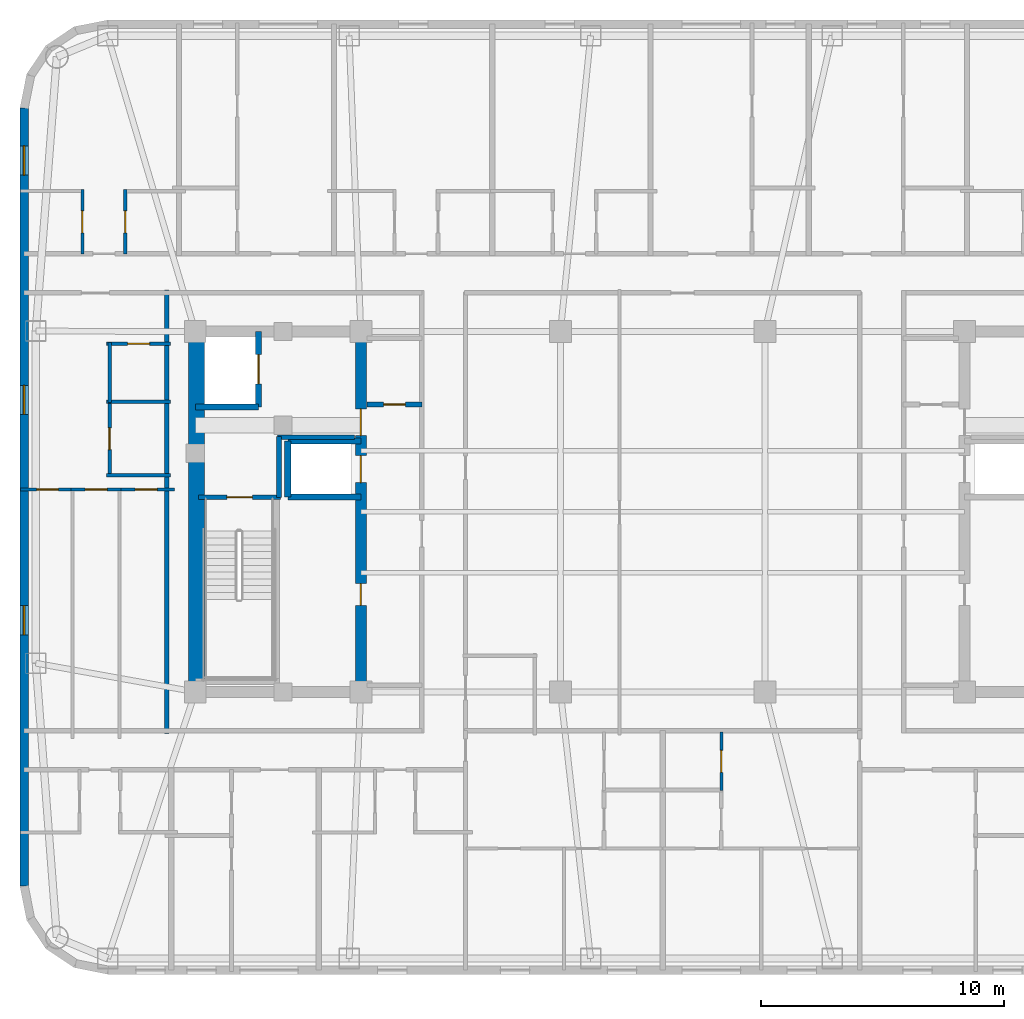
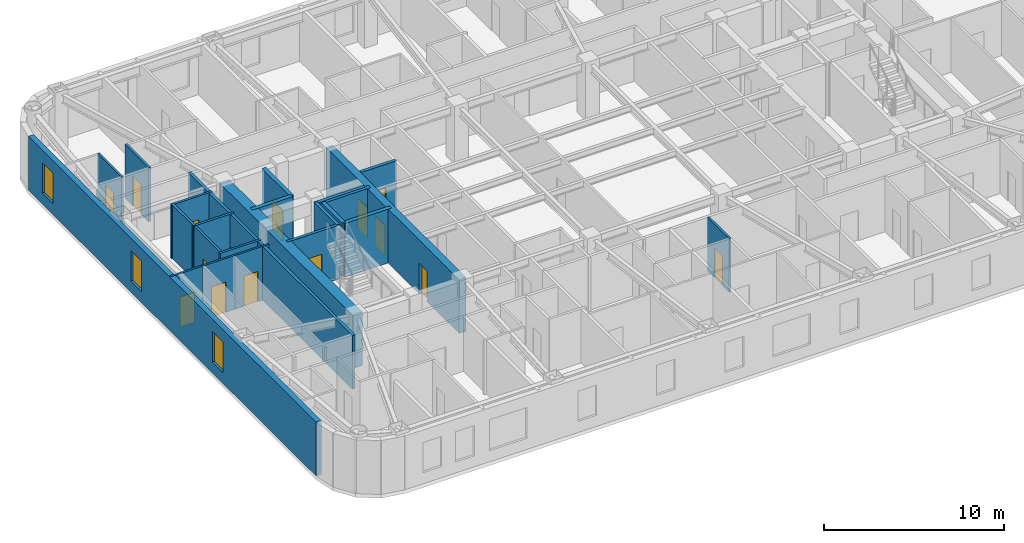
# One storey, part 4 of 11: 24 walls, 14 doors, 3 windows, 17 openings.
"""IFC4 building model written with IfcOpenShell, lengths in metres."""

from ifc_helpers import new_model, si_unit, direction, frame, frame_2d, origin, place, context, subcontext, project, spatial, rectangle, extrude, material, layer, layer_set, type_object, element, fill, save


model = new_model("IFC4")

# Units and contexts
model_context = context("Model", 3, precision=1e-05, world=origin(), true_north=direction((0.0, 1.0)))
body_context = subcontext(model_context, "Body", "Model", "MODEL_VIEW")
ifc_project = project(units=[si_unit("LENGTHUNIT", "METRE"), si_unit("AREAUNIT", "SQUARE_METRE"), si_unit("VOLUMEUNIT", "CUBIC_METRE"), si_unit("PLANEANGLEUNIT", "RADIAN"), si_unit("MASSUNIT", "GRAM", prefix="KILO")], contexts=[model_context])

# Site, building, storey
site_placement = place(None, origin())
site = spatial("IfcSite", under=ifc_project, at=site_placement, CompositionType="ELEMENT")
building_placement = place(site_placement, origin())
building = spatial("IfcBuilding", under=site, at=building_placement, Name="Voryun Gate Residences", CompositionType="ELEMENT")
storey_placement = place(building_placement, frame((0.0, 0.0, 247.0)))
storey = spatial("IfcBuildingStorey", under=building, at=storey_placement, Name="L61", CompositionType="ELEMENT", Elevation=247.0)

# Wall, openings, doors
ifc_material_1 = material(Name="Concrete C50/60", Category="concrete")
ifc_layer_1 = layer(ifc_material_1, 0.449951171875, Name="CW_CORE_450")
ifc_layer_set_1 = layer_set([ifc_layer_1], Name="Concrete C50/60")
wall_type_1 = type_object("IfcWallType", Name="CW_CORE_450", PredefinedType="SHEAR", material=ifc_layer_set_1)
wall_1_placement = place(storey_placement, frame((-12.39990234375, -7.39990234375, 0.0), z_axis=(0.0, 0.0, 1.0), x_axis=(0.0, 1.0, 0.0)))
wall_1 = element("IfcWall", 1, at=wall_1_placement, inside=storey, type_object=wall_type_1, Name="L61 Core shear wall CW-L61-WE", PredefinedType="SHEAR", context=body_context, shape_type="SweptSolid", body=[
    extrude(rectangle(XDim=14.7998046875, YDim=0.449951171875, at=frame_2d((7.39990234375, 0.0))), origin(), (0.0, 0.0, 1.0), 3.64990234375),
])
opening_1_placement = place(wall_1_placement, frame((8.60009765625, 0.0, 0.0)))
opening_1 = element("IfcOpeningElement", 2, at=opening_1_placement, cuts=wall_1, Name="Opening LD2", PredefinedType="OPENING", context=body_context, shape_type="SweptSolid", body=[
    extrude(rectangle(XDim=1.10009765625, YDim=2.050048828125, at=frame_2d((0.550048828125, 1.02490234375))), frame((0.0, 0.235107421875, 0.0), z_axis=(0.0, -1.0, 0.0), x_axis=(1.0, 0.0, 0.0)), (0.0, 0.0, 1.0), 0.469970703125),
])
opening_2_placement = place(wall_1_placement, frame((10.530029296875, 0.0, 0.0)))
opening_2 = element("IfcOpeningElement", 3, at=opening_2_placement, cuts=wall_1, Name="Opening D-FD60-2", PredefinedType="OPENING", context=body_context, shape_type="SweptSolid", body=[
    extrude(rectangle(XDim=1.10009765625, YDim=2.050048828125, at=frame_2d((0.550048828125, 1.02490234375))), frame((0.0, 0.235107421875, 0.0), z_axis=(0.0, -1.0, 0.0), x_axis=(1.0, 0.0, 0.0)), (0.0, 0.0, 1.0), 0.469970703125),
])
opening_3_placement = place(wall_1_placement, frame((3.550048828125, 0.0, 0.0)))
opening_3 = element("IfcOpeningElement", 4, at=opening_3_placement, cuts=wall_1, Name="Opening D-FD60-4", PredefinedType="OPENING", context=body_context, shape_type="SweptSolid", body=[
    extrude(rectangle(XDim=0.89990234375, YDim=2.050048828125, at=frame_2d((0.449951171875, 1.02490234375))), frame((0.0, 0.235107421875, 0.0), z_axis=(0.0, -1.0, 0.0), x_axis=(1.0, 0.0, 0.0)), (0.0, 0.0, 1.0), 0.469970703125),
])
ifc_material_2 = material(Name="Painted steel fire door", Category="steel")
door_type_1 = type_object("IfcDoorType", Name="DR_FD60_FFLOB_1100", OperationType="NOTDEFINED", PredefinedType="DOOR", material=ifc_material_2)
door_1_placement = place(opening_2_placement, origin())
door_1 = element("IfcDoor", 5, at=door_1_placement, inside=storey, type_object=door_type_1, Name="Door DR-L61-CLOB-W", OperationType="SINGLE_SWING_LEFT", OverallHeight=2.050048828125, OverallWidth=1.10009765625, PredefinedType="DOOR", context=body_context, shape_type="SweptSolid", body=[
    extrude(rectangle(XDim=1.10009765625, YDim=2.050048828125, at=frame_2d((0.550048828125, 1.02490234375))), frame((0.0, 0.02490234375, 0.0), z_axis=(0.0, -1.0, 0.0), x_axis=(1.0, 0.0, 0.0)), (0.0, 0.0, 1.0), 0.050048828125),
])
fill(opening_2, door_1)
ifc_material_3 = material(Name="Painted steel fire door", Category="steel")
door_type_2 = type_object("IfcDoorType", Name="DR_FD60_RISER_900", OperationType="NOTDEFINED", PredefinedType="DOOR", material=ifc_material_3)
door_2_placement = place(opening_3_placement, origin())
door_2 = element("IfcDoor", 6, at=door_2_placement, inside=storey, type_object=door_type_2, Name="Door DR-L61-RECW-HI", OperationType="SINGLE_SWING_LEFT", OverallHeight=2.050048828125, OverallWidth=0.89990234375, PredefinedType="DOOR", context=body_context, shape_type="SweptSolid", body=[
    extrude(rectangle(XDim=0.89990234375, YDim=2.050048828125, at=frame_2d((0.449951171875, 1.02490234375))), frame((0.0, 0.02490234375, 0.0), z_axis=(0.0, -1.0, 0.0), x_axis=(1.0, 0.0, 0.0)), (0.0, 0.0, 1.0), 0.050048828125),
])
fill(opening_3, door_2)
ifc_material_4 = material(Name="Anodised aluminium", Category="aluminium")
door_type_3 = type_object("IfcDoorType", Name="DR_LD_PASS_1100", OperationType="NOTDEFINED", PredefinedType="DOOR", material=ifc_material_4)
door_3_placement = place(opening_1_placement, origin())
door_3 = element("IfcDoor", 7, at=door_3_placement, inside=storey, type_object=door_type_3, Name="Lift EL-P7 sliding landing door L61", OperationType="SLIDING_TO_LEFT", OverallHeight=2.050048828125, OverallWidth=1.10009765625, PredefinedType="DOOR", context=body_context, shape_type="SweptSolid", body=[
    extrude(rectangle(XDim=1.10009765625, YDim=2.050048828125, at=frame_2d((0.550048828125, 1.02490234375))), frame((0.0, 0.02490234375, 0.0), z_axis=(0.0, -1.0, 0.0), x_axis=(1.0, 0.0, 0.0)), (0.0, 0.0, 1.0), 0.050048828125),
])
fill(opening_1, door_3)

# Wall
ifc_material_5 = material(Name="Concrete C60/75", Category="concrete")
ifc_layer_2 = layer(ifc_material_5, 0.64990234375, Name="CW_CORE_650")
ifc_layer_set_2 = layer_set([ifc_layer_2], Name="Concrete C60/75")
wall_type_2 = type_object("IfcWallType", Name="CW_CORE_650", PredefinedType="SHEAR", material=ifc_layer_set_2)
wall_2_placement = place(storey_placement, frame((-19.14501953125, -7.39990234375, 0.0), z_axis=(0.0, 0.0, 1.0), x_axis=(0.0, 1.0, 0.0)))
element("IfcWall", 8, at=wall_2_placement, inside=storey, type_object=wall_type_2, Name="L61 Core shear wall CW-L61-WW", PredefinedType="SHEAR", context=body_context, shape_type="SweptSolid", body=[
    extrude(rectangle(XDim=14.7998046875, YDim=0.64990234375, at=frame_2d((7.39990234375, 0.0))), origin(), (0.0, 0.0, 1.0), 3.64990234375),
])

# Wall, opening, door
ifc_material_6 = material(Name="Gypsum acoustic fireboard")
ifc_layer_3 = layer(ifc_material_6, 0.179931640625, Name="W_CORR_RATED_180")
ifc_layer_set_3 = layer_set([ifc_layer_3], Name="Gypsum acoustic fireboard")
wall_type_3 = type_object("IfcWallType", Name="W_CORR_RATED_180", PredefinedType="PARTITIONING", material=ifc_layer_set_3)
wall_3_placement = place(storey_placement, frame((-19.06005859375, 0.60009765625, 0.0), z_axis=(0.0, 0.0, 1.0), x_axis=(1.0, 0.0, 0.0)))
wall_3 = element("IfcWall", 9, at=wall_3_placement, inside=storey, type_object=wall_type_3, Name="Partition wall WP-L61-STV-W", PredefinedType="PARTITIONING", context=body_context, shape_type="SweptSolid", body=[
    extrude(rectangle(XDim=3.360107421875, YDim=0.179931640625, at=frame_2d((1.68017578125, 0.0))), origin(), (0.0, 0.0, 1.0), 3.64990234375),
])
opening_4_placement = place(wall_3_placement, frame((1.155029296875, 0.0, 0.0)))
opening_4 = element("IfcOpeningElement", 10, at=opening_4_placement, cuts=wall_3, Name="Opening D-FD60-1", PredefinedType="OPENING", context=body_context, shape_type="SweptSolid", body=[
    extrude(rectangle(XDim=1.050048828125, YDim=2.050048828125, at=frame_2d((0.52490234375, 1.02490234375))), frame((0.0, 0.099853515625, 0.0), z_axis=(0.0, -1.0, 0.0), x_axis=(1.0, 0.0, 0.0)), (0.0, 0.0, 1.0), 0.199951171875),
])
ifc_material_7 = material(Name="Painted steel fire door", Category="steel")
door_type_4 = type_object("IfcDoorType", Name="DR_FD60_STAIR_1050", OperationType="NOTDEFINED", PredefinedType="DOOR", material=ifc_material_7)
door_4_placement = place(opening_4_placement, origin())
door_4 = element("IfcDoor", 11, at=door_4_placement, inside=storey, type_object=door_type_4, Name="Door DR-L61-ST-W", OperationType="SINGLE_SWING_LEFT", OverallHeight=2.050048828125, OverallWidth=1.050048828125, PredefinedType="DOOR", context=body_context, shape_type="SweptSolid", body=[
    extrude(rectangle(XDim=1.050048828125, YDim=2.050048828125, at=frame_2d((0.52490234375, 1.02490234375))), frame((0.0, 0.02490234375, 0.0), z_axis=(0.0, -1.0, 0.0), x_axis=(1.0, 0.0, 0.0)), (0.0, 0.0, 1.0), 0.050048828125),
])
fill(opening_4, door_4)

# Wall
wall_4_placement = place(storey_placement, frame((-20.3701171875, -9.110107421875, 0.0), z_axis=(0.0, 0.0, 1.0), x_axis=(0.0, 1.0, 0.0)))
element("IfcWall", 12, at=wall_4_placement, inside=storey, type_object=wall_type_3, Name="Partition wall WP-L61-WCOR", PredefinedType="PARTITIONING", context=body_context, shape_type="SweptSolid", body=[
    extrude(rectangle(XDim=18.22021484375, YDim=0.179931640625, at=frame_2d((9.110107421875, 0.0))), origin(), (0.0, 0.0, 1.0), 3.64990234375),
])

# Wall, openings, windows
ifc_material_8 = material(Name="Charcoal terracotta masonry", Category="masonry")
ifc_layer_4 = layer(ifc_material_8, 0.340087890625, Name="W_EXT_TERRACOTTA_340")
ifc_layer_set_4 = layer_set([ifc_layer_4], Name="Charcoal terracotta masonry")
wall_type_4 = type_object("IfcWallType", Name="W_EXT_TERRACOTTA_340", PredefinedType="ELEMENTEDWALL", material=ifc_layer_set_4)
wall_5_placement = place(storey_placement, frame((-26.22998046875, -15.38330078125, 0.0), z_axis=(0.0, 0.0, 1.0), x_axis=(0.0, 1.0, 0.0)))
wall_5 = element("IfcWall", 13, at=wall_5_placement, inside=storey, type_object=wall_type_4, Name="Exterior wall WEXT-L61-06", PredefinedType="ELEMENTEDWALL", context=body_context, shape_type="SweptSolid", body=[
    extrude(rectangle(XDim=31.966552734375, YDim=0.340087890625, at=frame_2d((15.9833984375, 0.0))), origin(), (0.0, 0.0, 1.0), 3.64990234375),
])
opening_5_placement = place(wall_5_placement, frame((29.2099609375, 0.0, 0.75)))
opening_5 = element("IfcOpeningElement", 14, at=opening_5_placement, cuts=wall_5, Name="Opening WN6", PredefinedType="OPENING", context=body_context, shape_type="SweptSolid", body=[
    extrude(rectangle(XDim=1.199951171875, YDim=2.050048828125, at=frame_2d((0.60009765625, 1.02490234375))), frame((0.0, 0.179931640625, 0.0), z_axis=(0.0, -1.0, 0.0), x_axis=(1.0, 0.0, 0.0)), (0.0, 0.0, 1.0), 0.360107421875),
])
opening_6_placement = place(wall_5_placement, frame((19.37841796875, 0.0, 0.75)))
opening_6 = element("IfcOpeningElement", 15, at=opening_6_placement, cuts=wall_5, Name="Opening WN6", PredefinedType="OPENING", context=body_context, shape_type="SweptSolid", body=[
    extrude(rectangle(XDim=1.199951171875, YDim=2.050048828125, at=frame_2d((0.60009765625, 1.02490234375))), frame((0.0, 0.179931640625, 0.0), z_axis=(0.0, -1.0, 0.0), x_axis=(1.0, 0.0, 0.0)), (0.0, 0.0, 1.0), 0.360107421875),
])
opening_7_placement = place(wall_5_placement, frame((10.328369140625, 0.0, 0.75)))
opening_7 = element("IfcOpeningElement", 16, at=opening_7_placement, cuts=wall_5, Name="Opening WN6", PredefinedType="OPENING", context=body_context, shape_type="SweptSolid", body=[
    extrude(rectangle(XDim=1.199951171875, YDim=2.050048828125, at=frame_2d((0.60009765625, 1.02490234375))), frame((0.0, 0.179931640625, 0.0), z_axis=(0.0, -1.0, 0.0), x_axis=(1.0, 0.0, 0.0)), (0.0, 0.0, 1.0), 0.360107421875),
])
ifc_material_9 = material(Name="Laminated low-E glass", Category="glass")
window_type = type_object("IfcWindowType", Name="WN_POD_SLOT_1200", PartitioningType="SINGLE_PANEL", PredefinedType="WINDOW", material=ifc_material_9)
window_1_placement = place(opening_5_placement, origin())
window_1 = element("IfcWindow", 17, at=window_1_placement, inside=storey, type_object=window_type, Name="Window WN-L61-DWFIX-01", OverallHeight=2.050048828125, OverallWidth=1.199951171875, PartitioningType="SINGLE_PANEL", PredefinedType="WINDOW", context=body_context, shape_type="SweptSolid", body=[
    extrude(rectangle(XDim=1.199951171875, YDim=2.050048828125, at=frame_2d((0.60009765625, 1.02490234375))), frame((0.0, 0.030029296875, 0.0), z_axis=(0.0, -1.0, 0.0), x_axis=(1.0, 0.0, 0.0)), (0.0, 0.0, 1.0), 0.06005859375),
])
fill(opening_5, window_1)
window_2_placement = place(opening_6_placement, origin())
window_2 = element("IfcWindow", 18, at=window_2_placement, inside=storey, type_object=window_type, Name="Window WN-L61-DWFIX-22", OverallHeight=2.050048828125, OverallWidth=1.199951171875, PartitioningType="SINGLE_PANEL", PredefinedType="WINDOW", context=body_context, shape_type="SweptSolid", body=[
    extrude(rectangle(XDim=1.199951171875, YDim=2.050048828125, at=frame_2d((0.60009765625, 1.02490234375))), frame((0.0, 0.030029296875, 0.0), z_axis=(0.0, -1.0, 0.0), x_axis=(1.0, 0.0, 0.0)), (0.0, 0.0, 1.0), 0.06005859375),
])
fill(opening_6, window_2)
window_3_placement = place(opening_7_placement, origin())
window_3 = element("IfcWindow", 19, at=window_3_placement, inside=storey, type_object=window_type, Name="Window WN-L61-DWFIX-23", OverallHeight=2.050048828125, OverallWidth=1.199951171875, PartitioningType="SINGLE_PANEL", PredefinedType="WINDOW", context=body_context, shape_type="SweptSolid", body=[
    extrude(rectangle(XDim=1.199951171875, YDim=2.050048828125, at=frame_2d((0.60009765625, 1.02490234375))), frame((0.0, 0.030029296875, 0.0), z_axis=(0.0, -1.0, 0.0), x_axis=(1.0, 0.0, 0.0)), (0.0, 0.0, 1.0), 0.06005859375),
])
fill(opening_7, window_3)

# Walls
ifc_material_10 = material(Name="Concrete C40/50", Category="concrete")
ifc_layer_5 = layer(ifc_material_10, 0.199951171875, Name="W_FF_LOBBY_200")
ifc_layer_set_5 = layer_set([ifc_layer_5], Name="Concrete C40/50")
wall_type_5 = type_object("IfcWallType", Name="W_FF_LOBBY_200", PredefinedType="PARTITIONING", material=ifc_layer_set_5)
wall_6_placement = place(storey_placement, frame((-15.760009765625, 0.580078125, 0.0), z_axis=(0.0, 0.0, 1.0), x_axis=(0.0, 1.0, 0.0)))
element("IfcWall", 20, at=wall_6_placement, inside=storey, type_object=wall_type_5, Name="Partition wall WP-L61-FFP0-W", PredefinedType="PARTITIONING", context=body_context, shape_type="SweptSolid", body=[
    extrude(rectangle(XDim=2.52001953125, YDim=0.199951171875, at=frame_2d((1.260009765625, 0.0))), origin(), (0.0, 0.0, 1.0), 3.64990234375),
])
wall_7_placement = place(storey_placement, frame((-15.820068359375, 3.06005859375, 0.0), z_axis=(0.0, 0.0, 1.0), x_axis=(1.0, 0.0, 0.0)))
element("IfcWall", 21, at=wall_7_placement, inside=storey, type_object=wall_type_5, Name="Partition wall WP-L61-FFPS-W", PredefinedType="PARTITIONING", context=body_context, shape_type="SweptSolid", body=[
    extrude(rectangle(XDim=3.16015625, YDim=0.199951171875, at=frame_2d((1.580078125, 0.0))), origin(), (0.0, 0.0, 1.0), 3.64990234375),
])

# Wall, opening, door
wall_8_placement = place(storey_placement, frame((-12.14990234375, 4.409912109375, 0.0), z_axis=(0.0, 0.0, 1.0), x_axis=(1.0, 0.0, 0.0)))
wall_8 = element("IfcWall", 22, at=wall_8_placement, inside=storey, type_object=wall_type_5, Name="Partition wall WP-L61-CSFLKS-W", PredefinedType="PARTITIONING", context=body_context, shape_type="SweptSolid", body=[
    extrude(rectangle(XDim=2.27001953125, YDim=0.199951171875, at=frame_2d((1.135009765625, 0.0))), origin(), (0.0, 0.0, 1.0), 3.64990234375),
])
opening_8_placement = place(wall_8_placement, frame((0.68505859375, 0.0, 0.0)))
opening_8 = element("IfcOpeningElement", 23, at=opening_8_placement, cuts=wall_8, Name="Opening D-FD60-4", PredefinedType="OPENING", context=body_context, shape_type="SweptSolid", body=[
    extrude(rectangle(XDim=0.89990234375, YDim=2.050048828125, at=frame_2d((0.449951171875, 1.02490234375))), frame((0.0, 0.110107421875, 0.0), z_axis=(0.0, -1.0, 0.0), x_axis=(1.0, 0.0, 0.0)), (0.0, 0.0, 1.0), 0.219970703125),
])
door_5_placement = place(opening_8_placement, origin())
door_5 = element("IfcDoor", 24, at=door_5_placement, inside=storey, type_object=door_type_2, Name="Door DR-L61-CSFLK-W", OperationType="SINGLE_SWING_LEFT", OverallHeight=2.050048828125, OverallWidth=0.89990234375, PredefinedType="DOOR", context=body_context, shape_type="SweptSolid", body=[
    extrude(rectangle(XDim=0.89990234375, YDim=2.050048828125, at=frame_2d((0.449951171875, 1.02490234375))), frame((0.0, 0.02490234375, 0.0), z_axis=(0.0, -1.0, 0.0), x_axis=(1.0, 0.0, 0.0)), (0.0, 0.0, 1.0), 0.050048828125),
])
fill(opening_8, door_5)

# Wall
ifc_material_11 = material(Name="Concrete C50/60", Category="concrete")
ifc_layer_6 = layer(ifc_material_11, 0.25, Name="W_SHAFT_RC250")
ifc_layer_set_6 = layer_set([ifc_layer_6], Name="Concrete C50/60")
wall_type_6 = type_object("IfcWallType", Name="W_SHAFT_RC250", PredefinedType="SOLIDWALL", material=ifc_layer_set_6)
wall_9_placement = place(storey_placement, frame((-19.199951171875, 4.300048828125, 0.0), z_axis=(0.0, 0.0, 1.0), x_axis=(1.0, 0.0, 0.0)))
element("IfcWall", 25, at=wall_9_placement, inside=storey, type_object=wall_type_6, Name="Lift shaft wall WSH-L61-EL-FF-W1-S", PredefinedType="SOLIDWALL", context=body_context, shape_type="SweptSolid", body=[
    extrude(rectangle(XDim=2.599853515625, YDim=0.25, at=frame_2d((1.2998046875, 0.0))), origin(), (0.0, 0.0, 1.0), 3.64990234375),
])

# Wall, opening, door
wall_10_placement = place(storey_placement, frame((-16.60009765625, 4.300048828125, 0.0), z_axis=(0.0, 0.0, 1.0), x_axis=(0.0, 1.0, 0.0)))
wall_10 = element("IfcWall", 26, at=wall_10_placement, inside=storey, type_object=wall_type_6, Name="Lift shaft wall WSH-L61-EL-FF-W1-E", PredefinedType="SOLIDWALL", context=body_context, shape_type="SweptSolid", body=[
    extrude(rectangle(XDim=3.099853515625, YDim=0.25, at=frame_2d((1.5498046875, 0.0))), origin(), (0.0, 0.0, 1.0), 3.64990234375),
])
opening_9_placement = place(wall_10_placement, frame((0.949951171875, 0.0, 0.0)))
opening_9 = element("IfcOpeningElement", 27, at=opening_9_placement, cuts=wall_10, Name="Opening LD1", PredefinedType="OPENING", context=body_context, shape_type="SweptSolid", body=[
    extrude(rectangle(XDim=1.199951171875, YDim=2.050048828125, at=frame_2d((0.60009765625, 1.02490234375))), frame((0.0, 0.135009765625, 0.0), z_axis=(0.0, -1.0, 0.0), x_axis=(1.0, 0.0, 0.0)), (0.0, 0.0, 1.0), 0.27001953125),
])
ifc_material_12 = material(Name="Anodised aluminium", Category="aluminium")
door_type_5 = type_object("IfcDoorType", Name="DR_LD_FF_1200", OperationType="NOTDEFINED", PredefinedType="DOOR", material=ifc_material_12)
door_6_placement = place(opening_9_placement, origin())
door_6 = element("IfcDoor", 28, at=door_6_placement, inside=storey, type_object=door_type_5, Name="Lift EL-FF-W1 sliding landing door L61", OperationType="SLIDING_TO_LEFT", OverallHeight=2.050048828125, OverallWidth=1.199951171875, PredefinedType="DOOR", context=body_context, shape_type="SweptSolid", body=[
    extrude(rectangle(XDim=1.199951171875, YDim=2.050048828125, at=frame_2d((0.60009765625, 1.02490234375))), frame((0.0, 0.02490234375, 0.0), z_axis=(0.0, -1.0, 0.0), x_axis=(1.0, 0.0, 0.0)), (0.0, 0.0, 1.0), 0.050048828125),
])
fill(opening_9, door_6)

# Walls
for number, where, z_axis, x_axis, name in (
    (29, (-15.39990234375, 0.60009765625, 0.0), (0.0, 0.0, 1.0), (1.0, 0.0, 0.0), "Lift shaft wall WSH-L61-EL-P7-S"),
    (30, (-12.39990234375, 2.89990234375, 0.0), (0.0, 0.0, 1.0), (-1.0, 0.0, 0.0), "Lift shaft wall WSH-L61-EL-P7-N"),
):
    element("IfcWall", number, at=place(storey_placement, frame(where, z_axis=z_axis, x_axis=x_axis)), inside=storey, type_object=wall_type_6, Name=name, PredefinedType="SOLIDWALL", context=body_context, shape_type="SweptSolid", body=[
        extrude(rectangle(XDim=3.0, YDim=0.25, at=frame_2d((1.5, 0.0))), origin(), (0.0, 0.0, 1.0), 3.64990234375),
    ])
wall_11_placement = place(storey_placement, frame((-15.39990234375, 2.89990234375, 0.0), z_axis=(0.0, 0.0, 1.0), x_axis=(0.0, -1.0, 0.0)))
element("IfcWall", 31, at=wall_11_placement, inside=storey, type_object=wall_type_6, Name="Lift shaft wall WSH-L61-EL-P7-W", PredefinedType="SOLIDWALL", context=body_context, shape_type="SweptSolid", body=[
    extrude(rectangle(XDim=2.2998046875, YDim=0.25, at=frame_2d((1.14990234375, 0.0))), origin(), (0.0, 0.0, 1.0), 3.64990234375),
])

# Wall, opening, door
ifc_material_13 = material(Name="Gypsum acoustic partition")
ifc_layer_7 = layer(ifc_material_13, 0.125, Name="W_UNIT_PART_125")
ifc_layer_set_7 = layer_set([ifc_layer_7], Name="Gypsum acoustic partition")
wall_type_7 = type_object("IfcWallType", Name="W_UNIT_PART_125", PredefinedType="PARTITIONING", material=ifc_layer_set_7)
wall_12_placement = place(storey_placement, frame((-23.839111328125, 10.580078125, 0.0), z_axis=(0.0, 0.0, 1.0), x_axis=(0.0, 1.0, 0.0)))
wall_12 = element("IfcWall", 32, at=wall_12_placement, inside=storey, type_object=wall_type_7, Name="Partition wall WP-L61-N1-CVK", PredefinedType="PARTITIONING", context=body_context, shape_type="SweptSolid", body=[
    extrude(rectangle(XDim=2.64990234375, YDim=0.125, at=frame_2d((1.324951171875, 0.0))), origin(), (0.0, 0.0, 1.0), 3.64990234375),
])
opening_10_placement = place(wall_12_placement, frame((0.875, 0.0, 0.0)))
opening_10 = element("IfcOpeningElement", 33, at=opening_10_placement, cuts=wall_12, Name="Opening D-INT-2", PredefinedType="OPENING", context=body_context, shape_type="SweptSolid", body=[
    extrude(rectangle(XDim=0.89990234375, YDim=2.050048828125, at=frame_2d((0.449951171875, 1.02490234375))), frame((0.0, 0.072509765625, 0.0), z_axis=(0.0, -1.0, 0.0), x_axis=(1.0, 0.0, 0.0)), (0.0, 0.0, 1.0), 0.14501953125),
])
ifc_material_14 = material(Name="Architectural oak veneer")
door_type_6 = type_object("IfcDoorType", Name="DR_INT_BATH_900", OperationType="NOTDEFINED", PredefinedType="DOOR", material=ifc_material_14)
door_7_placement = place(opening_10_placement, origin())
door_7 = element("IfcDoor", 34, at=door_7_placement, inside=storey, type_object=door_type_6, Name="Door DR-L61-N1-DK", OperationType="SINGLE_SWING_LEFT", OverallHeight=2.050048828125, OverallWidth=0.89990234375, PredefinedType="DOOR", context=body_context, shape_type="SweptSolid", body=[
    extrude(rectangle(XDim=0.89990234375, YDim=2.050048828125, at=frame_2d((0.449951171875, 1.02490234375))), frame((0.0, 0.02490234375, 0.0), z_axis=(0.0, -1.0, 0.0), x_axis=(1.0, 0.0, 0.0)), (0.0, 0.0, 1.0), 0.050048828125),
])
fill(opening_10, door_7)

wall_13_placement = place(storey_placement, frame((2.409912109375, -11.4599609375, 0.0), z_axis=(0.0, 0.0, 1.0), x_axis=(0.0, 1.0, 0.0)))
wall_13 = element("IfcWall", 35, at=wall_13_placement, inside=storey, type_object=wall_type_7, Name="Partition wall WP-L61-SC2-VK1", PredefinedType="PARTITIONING", context=body_context, shape_type="SweptSolid", body=[
    extrude(rectangle(XDim=2.409912109375, YDim=0.125, at=frame_2d((1.205078125, 0.0))), origin(), (0.0, 0.0, 1.0), 3.64990234375),
])
opening_11_placement = place(wall_13_placement, frame((0.7548828125, 0.0, 0.0)))
opening_11 = element("IfcOpeningElement", 36, at=opening_11_placement, cuts=wall_13, Name="Opening D-INT-2", PredefinedType="OPENING", context=body_context, shape_type="SweptSolid", body=[
    extrude(rectangle(XDim=0.89990234375, YDim=2.050048828125, at=frame_2d((0.449951171875, 1.02490234375))), frame((0.0, 0.072509765625, 0.0), z_axis=(0.0, -1.0, 0.0), x_axis=(1.0, 0.0, 0.0)), (0.0, 0.0, 1.0), 0.14501953125),
])
door_8_placement = place(opening_11_placement, origin())
door_8 = element("IfcDoor", 37, at=door_8_placement, inside=storey, type_object=door_type_6, Name="Door DR-L61-SC2-DK", OperationType="SINGLE_SWING_LEFT", OverallHeight=2.050048828125, OverallWidth=0.89990234375, PredefinedType="DOOR", context=body_context, shape_type="SweptSolid", body=[
    extrude(rectangle(XDim=0.89990234375, YDim=2.050048828125, at=frame_2d((0.449951171875, 1.02490234375))), frame((0.0, 0.02490234375, 0.0), z_axis=(0.0, -1.0, 0.0), x_axis=(1.0, 0.0, 0.0)), (0.0, 0.0, 1.0), 0.050048828125),
])
fill(opening_11, door_8)

wall_14_placement = place(storey_placement, frame((-26.3798828125, 0.909912109375, 0.0), z_axis=(0.0, 0.0, 1.0), x_axis=(1.0, 0.0, 0.0)))
wall_14 = element("IfcWall", 38, at=wall_14_placement, inside=storey, type_object=wall_type_7, Name="Partition wall WP-L61-W1-HZMB1", PredefinedType="PARTITIONING", context=body_context, shape_type="SweptSolid", body=[
    extrude(rectangle(XDim=2.200439453125, YDim=0.125, at=frame_2d((1.10009765625, 0.0))), origin(), (0.0, 0.0, 1.0), 3.64990234375),
])
opening_12_placement = place(wall_14_placement, frame((0.658935546875, 0.0, 0.0)))
opening_12 = element("IfcOpeningElement", 39, at=opening_12_placement, cuts=wall_14, Name="Opening D-INT-2", PredefinedType="OPENING", context=body_context, shape_type="SweptSolid", body=[
    extrude(rectangle(XDim=0.89990234375, YDim=2.050048828125, at=frame_2d((0.449951171875, 1.02490234375))), frame((0.0, 0.072509765625, 0.0), z_axis=(0.0, -1.0, 0.0), x_axis=(1.0, 0.0, 0.0)), (0.0, 0.0, 1.0), 0.14501953125),
])
door_9_placement = place(opening_12_placement, origin())
door_9 = element("IfcDoor", 40, at=door_9_placement, inside=storey, type_object=door_type_6, Name="Door DR-L61-W1-DMB", OperationType="SINGLE_SWING_LEFT", OverallHeight=2.050048828125, OverallWidth=0.89990234375, PredefinedType="DOOR", context=body_context, shape_type="SweptSolid", body=[
    extrude(rectangle(XDim=0.89990234375, YDim=2.050048828125, at=frame_2d((0.449951171875, 1.02490234375))), frame((0.0, 0.02490234375, 0.0), z_axis=(0.0, -1.0, 0.0), x_axis=(1.0, 0.0, 0.0)), (0.0, 0.0, 1.0), 0.050048828125),
])
fill(opening_12, door_9)

wall_15_placement = place(storey_placement, frame((-24.304443359375, 0.909912109375, 0.0), z_axis=(0.0, 0.0, 1.0), x_axis=(1.0, 0.0, 0.0)))
wall_15 = element("IfcWall", 41, at=wall_15_placement, inside=storey, type_object=wall_type_7, Name="Partition wall WP-L61-W1-HZMB2", PredefinedType="PARTITIONING", context=body_context, shape_type="SweptSolid", body=[
    extrude(rectangle(XDim=2.06103515625, YDim=0.125, at=frame_2d((1.030517578125, 0.0))), origin(), (0.0, 0.0, 1.0), 3.64990234375),
])
opening_13_placement = place(wall_15_placement, frame((0.58056640625, 0.0, 0.0)))
opening_13 = element("IfcOpeningElement", 42, at=opening_13_placement, cuts=wall_15, Name="Opening D-INT-2", PredefinedType="OPENING", context=body_context, shape_type="SweptSolid", body=[
    extrude(rectangle(XDim=0.89990234375, YDim=2.050048828125, at=frame_2d((0.449951171875, 1.02490234375))), frame((0.0, 0.072509765625, 0.0), z_axis=(0.0, -1.0, 0.0), x_axis=(1.0, 0.0, 0.0)), (0.0, 0.0, 1.0), 0.14501953125),
])
door_10_placement = place(opening_13_placement, origin())
door_10 = element("IfcDoor", 43, at=door_10_placement, inside=storey, type_object=door_type_6, Name="Door DR-L61-W1-DBD2", OperationType="SINGLE_SWING_RIGHT", OverallHeight=2.050048828125, OverallWidth=0.89990234375, PredefinedType="DOOR", context=body_context, shape_type="SweptSolid", body=[
    extrude(rectangle(XDim=0.89990234375, YDim=2.050048828125, at=frame_2d((0.449951171875, 1.02490234375))), frame((0.0, 0.02490234375, 0.0), z_axis=(0.0, -1.0, 0.0), x_axis=(1.0, 0.0, 0.0)), (0.0, 0.0, 1.0), 0.050048828125),
])
fill(opening_13, door_10)

wall_16_placement = place(storey_placement, frame((-22.368408203125, 0.909912109375, 0.0), z_axis=(0.0, 0.0, 1.0), x_axis=(1.0, 0.0, 0.0)))
wall_16 = element("IfcWall", 44, at=wall_16_placement, inside=storey, type_object=wall_type_7, Name="Partition wall WP-L61-W1-HZMB3", PredefinedType="PARTITIONING", context=body_context, shape_type="SweptSolid", body=[
    extrude(rectangle(XDim=2.318359375, YDim=0.125, at=frame_2d((1.1591796875, 0.0))), origin(), (0.0, 0.0, 1.0), 3.64990234375),
])
opening_14_placement = place(wall_16_placement, frame((0.700439453125, 0.0, 0.0)))
opening_14 = element("IfcOpeningElement", 45, at=opening_14_placement, cuts=wall_16, Name="Opening D-INT-2", PredefinedType="OPENING", context=body_context, shape_type="SweptSolid", body=[
    extrude(rectangle(XDim=0.89990234375, YDim=2.050048828125, at=frame_2d((0.449951171875, 1.02490234375))), frame((0.0, 0.072509765625, 0.0), z_axis=(0.0, -1.0, 0.0), x_axis=(1.0, 0.0, 0.0)), (0.0, 0.0, 1.0), 0.14501953125),
])
door_11_placement = place(opening_14_placement, origin())
door_11 = element("IfcDoor", 46, at=door_11_placement, inside=storey, type_object=door_type_6, Name="Door DR-L61-W1-DBD3", OperationType="SINGLE_SWING_LEFT", OverallHeight=2.050048828125, OverallWidth=0.89990234375, PredefinedType="DOOR", context=body_context, shape_type="SweptSolid", body=[
    extrude(rectangle(XDim=0.89990234375, YDim=2.050048828125, at=frame_2d((0.449951171875, 1.02490234375))), frame((0.0, 0.02490234375, 0.0), z_axis=(0.0, -1.0, 0.0), x_axis=(1.0, 0.0, 0.0)), (0.0, 0.0, 1.0), 0.050048828125),
])
fill(opening_14, door_11)

ifc_material_15 = material(Name="Gypsum moisture-resistant partition")
ifc_layer_8 = layer(ifc_material_15, 0.14990234375, Name="W_WET_PLUMB_150")
ifc_layer_set_8 = layer_set([ifc_layer_8], Name="Gypsum moisture-resistant partition")
wall_type_8 = type_object("IfcWallType", Name="W_WET_PLUMB_150", PredefinedType="PLUMBINGWALL", material=ifc_layer_set_8)
wall_17_placement = place(storey_placement, frame((-22.072998046875, 10.580078125, 0.0), z_axis=(0.0, 0.0, 1.0), x_axis=(0.0, 1.0, 0.0)))
wall_17 = element("IfcWall", 47, at=wall_17_placement, inside=storey, type_object=wall_type_8, Name="Partition wall WP-L61-N1-CVB", PredefinedType="PLUMBINGWALL", context=body_context, shape_type="SweptSolid", body=[
    extrude(rectangle(XDim=2.64990234375, YDim=0.14990234375, at=frame_2d((1.324951171875, 0.0))), origin(), (0.0, 0.0, 1.0), 3.64990234375),
])
opening_15_placement = place(wall_17_placement, frame((0.875, 0.0, 0.0)))
opening_15 = element("IfcOpeningElement", 48, at=opening_15_placement, cuts=wall_17, Name="Opening D-INT-2", PredefinedType="OPENING", context=body_context, shape_type="SweptSolid", body=[
    extrude(rectangle(XDim=0.89990234375, YDim=2.050048828125, at=frame_2d((0.449951171875, 1.02490234375))), frame((0.0, 0.0849609375, 0.0), z_axis=(0.0, -1.0, 0.0), x_axis=(1.0, 0.0, 0.0)), (0.0, 0.0, 1.0), 0.169921875),
])
door_12_placement = place(opening_15_placement, origin())
door_12 = element("IfcDoor", 49, at=door_12_placement, inside=storey, type_object=door_type_6, Name="Door DR-L61-N1-DB", OperationType="SINGLE_SWING_RIGHT", OverallHeight=2.050048828125, OverallWidth=0.89990234375, PredefinedType="DOOR", context=body_context, shape_type="SweptSolid", body=[
    extrude(rectangle(XDim=0.89990234375, YDim=2.050048828125, at=frame_2d((0.449951171875, 1.02490234375))), frame((0.0, 0.02490234375, 0.0), z_axis=(0.0, -1.0, 0.0), x_axis=(1.0, 0.0, 0.0)), (0.0, 0.0, 1.0), 0.050048828125),
])
fill(opening_15, door_12)

wall_18_placement = place(storey_placement, frame((-22.840087890625, 6.89990234375, 0.0), z_axis=(0.0, 0.0, 1.0), x_axis=(1.0, 0.0, 0.0)))
wall_18 = element("IfcWall", 50, at=wall_18_placement, inside=storey, type_object=wall_type_8, Name="Partition wall WP-L61-W1-IBT", PredefinedType="PLUMBINGWALL", context=body_context, shape_type="SweptSolid", body=[
    extrude(rectangle(XDim=2.6201171875, YDim=0.14990234375, at=frame_2d((1.31005859375, 0.0))), origin(), (0.0, 0.0, 1.0), 3.64990234375),
])
opening_16_placement = place(wall_18_placement, frame((0.860107421875, 0.0, 0.0)))
opening_16 = element("IfcOpeningElement", 51, at=opening_16_placement, cuts=wall_18, Name="Opening D-INT-2", PredefinedType="OPENING", context=body_context, shape_type="SweptSolid", body=[
    extrude(rectangle(XDim=0.89990234375, YDim=2.050048828125, at=frame_2d((0.449951171875, 1.02490234375))), frame((0.0, 0.0849609375, 0.0), z_axis=(0.0, -1.0, 0.0), x_axis=(1.0, 0.0, 0.0)), (0.0, 0.0, 1.0), 0.169921875),
])
door_13_placement = place(opening_16_placement, origin())
door_13 = element("IfcDoor", 52, at=door_13_placement, inside=storey, type_object=door_type_6, Name="Door DR-L61-W1-DK", OperationType="SINGLE_SWING_LEFT", OverallHeight=2.050048828125, OverallWidth=0.89990234375, PredefinedType="DOOR", context=body_context, shape_type="SweptSolid", body=[
    extrude(rectangle(XDim=0.89990234375, YDim=2.050048828125, at=frame_2d((0.449951171875, 1.02490234375))), frame((0.0, 0.02490234375, 0.0), z_axis=(0.0, -1.0, 0.0), x_axis=(1.0, 0.0, 0.0)), (0.0, 0.0, 1.0), 0.050048828125),
])
fill(opening_16, door_13)

# Walls
for number, where, z_axis, x_axis, name in (
    (53, (-22.840087890625, 4.52001953125, 0.0), (0.0, 0.0, 1.0), (1.0, 0.0, 0.0), "Partition wall WP-L61-W1-IKB"),
    (54, (-22.840087890625, 1.5, 0.0), (0.0, 0.0, 1.0), (1.0, 0.0, 0.0), "Partition wall WP-L61-W1-IBB"),
):
    element("IfcWall", number, at=place(storey_placement, frame(where, z_axis=z_axis, x_axis=x_axis)), inside=storey, type_object=wall_type_8, Name=name, PredefinedType="PLUMBINGWALL", context=body_context, shape_type="SweptSolid", body=[
        extrude(rectangle(XDim=2.6201171875, YDim=0.14990234375, at=frame_2d((1.31005859375, 0.0))), origin(), (0.0, 0.0, 1.0), 3.64990234375),
    ])

# Wall, opening, door
wall_19_placement = place(storey_placement, frame((-22.719970703125, 1.43994140625, 0.0), z_axis=(0.0, 0.0, 1.0), x_axis=(0.0, 1.0, 0.0)))
wall_19 = element("IfcWall", 55, at=wall_19_placement, inside=storey, type_object=wall_type_8, Name="Partition wall WP-L61-W1-VTSK1", PredefinedType="PLUMBINGWALL", context=body_context, shape_type="SweptSolid", body=[
    extrude(rectangle(XDim=3.1201171875, YDim=0.14990234375, at=frame_2d((1.56005859375, 0.0))), origin(), (0.0, 0.0, 1.0), 3.64990234375),
])
opening_17_placement = place(wall_19_placement, frame((1.110107421875, 0.0, 0.0)))
opening_17 = element("IfcOpeningElement", 56, at=opening_17_placement, cuts=wall_19, Name="Opening D-INT-2", PredefinedType="OPENING", context=body_context, shape_type="SweptSolid", body=[
    extrude(rectangle(XDim=0.89990234375, YDim=2.050048828125, at=frame_2d((0.449951171875, 1.02490234375))), frame((0.0, 0.0849609375, 0.0), z_axis=(0.0, -1.0, 0.0), x_axis=(1.0, 0.0, 0.0)), (0.0, 0.0, 1.0), 0.169921875),
])
door_14_placement = place(opening_17_placement, origin())
door_14 = element("IfcDoor", 57, at=door_14_placement, inside=storey, type_object=door_type_6, Name="Door DR-L61-W1-DB", OperationType="SINGLE_SWING_RIGHT", OverallHeight=2.050048828125, OverallWidth=0.89990234375, PredefinedType="DOOR", context=body_context, shape_type="SweptSolid", body=[
    extrude(rectangle(XDim=0.89990234375, YDim=2.050048828125, at=frame_2d((0.449951171875, 1.02490234375))), frame((0.0, 0.02490234375, 0.0), z_axis=(0.0, -1.0, 0.0), x_axis=(1.0, 0.0, 0.0)), (0.0, 0.0, 1.0), 0.050048828125),
])
fill(opening_17, door_14)

# Wall
wall_20_placement = place(storey_placement, frame((-22.719970703125, 4.47998046875, 0.0), z_axis=(0.0, 0.0, 1.0), x_axis=(0.0, 1.0, 0.0)))
element("IfcWall", 58, at=wall_20_placement, inside=storey, type_object=wall_type_8, Name="Partition wall WP-L61-W1-VTSK2", PredefinedType="PLUMBINGWALL", context=body_context, shape_type="SweptSolid", body=[
    extrude(rectangle(XDim=2.47998046875, YDim=0.14990234375, at=frame_2d((1.239990234375, 0.0))), origin(), (0.0, 0.0, 1.0), 3.64990234375),
])

save(model, "model.ifc")
